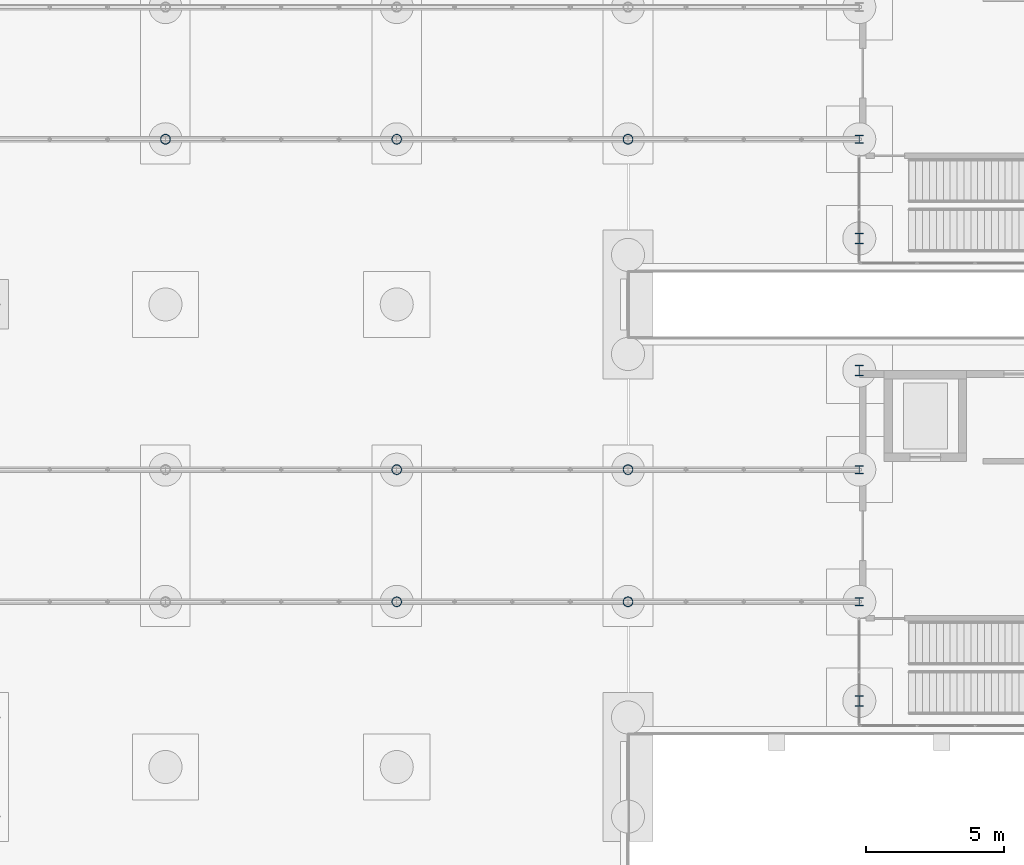
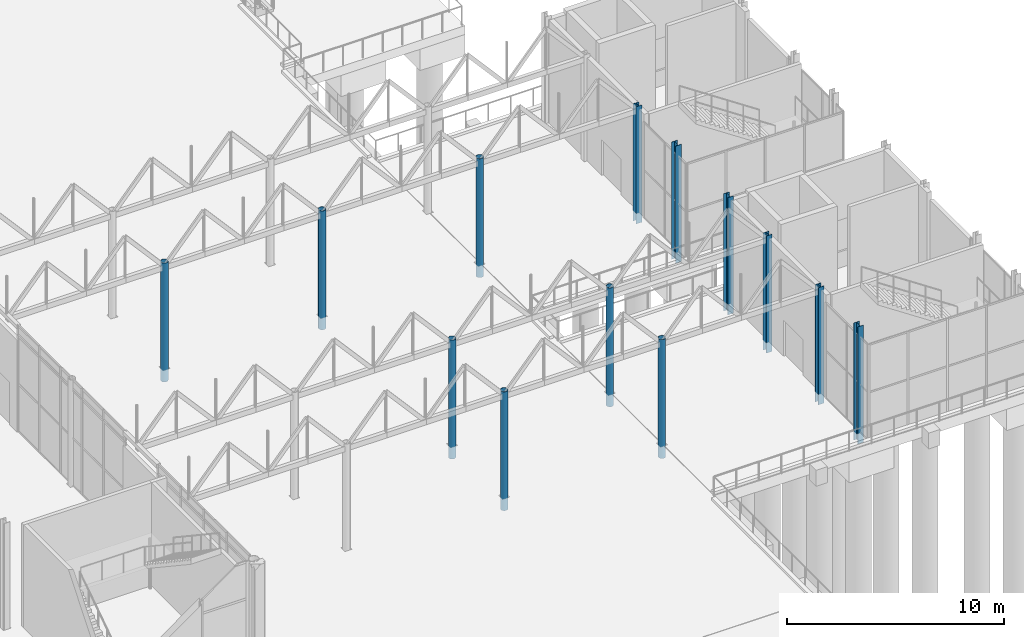
# One storey, part 19 of 212: 13 columns.
"""IFC4 building model written with IfcOpenShell, lengths in metres."""

from ifc_helpers import new_model, si_unit, direction, frame, origin, origin_2d, place, context, subcontext, project, spatial, hollow_circle, i_section, extrude, material, material_profile, profile_set, type_object, element, save


model = new_model("IFC4")

# Units and contexts
model_context = context("Model", 3, precision=1e-05, world=origin(), true_north=direction((0.0, 1.0)))
body_context = subcontext(model_context, "Body", "Model", "MODEL_VIEW")
ifc_project = project(units=[si_unit("LENGTHUNIT", "METRE"), si_unit("AREAUNIT", "SQUARE_METRE"), si_unit("VOLUMEUNIT", "CUBIC_METRE"), si_unit("PLANEANGLEUNIT", "RADIAN"), si_unit("MASSUNIT", "GRAM", prefix="KILO")], contexts=[model_context])

# Site, building, storey
site_placement = place(None, origin())
site = spatial("IfcSite", under=ifc_project, at=site_placement, CompositionType="ELEMENT")
building_placement = place(site_placement, origin())
building = spatial("IfcBuilding", under=site, at=building_placement, Name="Catenary Quay Ferry Terminal", CompositionType="ELEMENT")
storey_placement = place(building_placement, origin())
storey = spatial("IfcBuildingStorey", under=building, at=storey_placement, Name="L00", CompositionType="ELEMENT", Elevation=0.0)

# Columns
ifc_material_1 = material(Name="Steel S355", Category="steel")
ifc_material_profile_1 = material_profile(ifc_material_1, hollow_circle(Radius=0.177734375, WallThickness=0.012451171875, at=origin_2d()), Name="CHS 355.6x12.5")
ifc_profile_set_1 = profile_set([ifc_material_profile_1], Name="Steel S355")
column_type_1 = type_object("IfcColumnType", Name="C5 CHS 355.6x12.5", PredefinedType="COLUMN", material=ifc_profile_set_1)
for number, where, z_axis, x_axis, name in (
    (1, (109.199951171875, 73.199951171875, -0.699951171875), (0.0, 0.0, 1.0), (1.0, 0.0, 0.0), "Column C-BB1SN L00"),
    (2, (117.60009765625, 73.199951171875, -0.699951171875), (0.0, 0.0, 1.0), (1.0, 0.0, 0.0), "Column C-BB1SO L00"),
    (3, (109.199951171875, 78.0, -0.699951171875), (0.0, 0.0, 1.0), (1.0, 0.0, 0.0), "Column C-BB1NN L00"),
    (4, (117.60009765625, 78.0, -0.699951171875), (0.0, 0.0, 1.0), (1.0, 0.0, 0.0), "Column C-BB1NO L00"),
    (5, (100.800048828125, 90.0, -0.699951171875), (0.0, 0.0, 1.0), (1.0, 0.0, 0.0), "Column C-BB2SM L00"),
    (6, (109.199951171875, 90.0, -0.699951171875), (0.0, 0.0, 1.0), (1.0, 0.0, 0.0), "Column C-BB2SN L00"),
    (7, (117.60009765625, 90.0, -0.699951171875), (0.0, 0.0, 1.0), (1.0, 0.0, 0.0), "Column C-BB2SO L00"),
):
    element("IfcColumn", number, at=place(storey_placement, frame(where, z_axis=z_axis, x_axis=x_axis)), inside=storey, type_object=column_type_1, Name=name, PredefinedType="COLUMN", context=body_context, shape_type="SweptSolid", body=[
        extrude(hollow_circle(Radius=0.177734375, WallThickness=0.012451171875, at=origin_2d()), origin(), (0.0, 0.0, 1.0), 6.699951171875),
    ])
ifc_material_2 = material(Name="Steel S355", Category="steel")
ifc_material_profile_2 = material_profile(ifc_material_2, i_section(OverallWidth=0.300048828125, OverallDepth=0.389892578125, WebThickness=0.010986328125, FlangeThickness=0.01904296875, at=origin_2d()), Name="HEA 400")
ifc_profile_set_2 = profile_set([ifc_material_profile_2], Name="Steel S355")
column_type_2 = type_object("IfcColumnType", Name="C7 HEA 400", PredefinedType="COLUMN", material=ifc_profile_set_2)
for number, where, z_axis, x_axis, name in (
    (8, (126.0, 69.60009765625, -0.60009765625), (0.0, 0.0, 1.0), (1.0, 0.0, 0.0), "Column C-BH1P1 L00"),
    (9, (126.0, 81.60009765625, -0.60009765625), (0.0, 0.0, 1.0), (1.0, 0.0, 0.0), "Column C-BH1P4 L00"),
    (10, (126.0, 86.39990234375, -0.60009765625), (0.0, 0.0, 1.0), (1.0, 0.0, 0.0), "Column C-BH2P1 L00"),
):
    element("IfcColumn", number, at=place(storey_placement, frame(where, z_axis=z_axis, x_axis=x_axis)), inside=storey, type_object=column_type_2, Name=name, PredefinedType="COLUMN", context=body_context, shape_type="SweptSolid", body=[
        extrude(i_section(OverallWidth=0.300048828125, OverallDepth=0.389892578125, WebThickness=0.010986328125, FlangeThickness=0.01904296875, at=origin_2d()), origin(), (0.0, 0.0, 1.0), 6.60009765625),
    ])
ifc_material_3 = material(Name="Steel S355", Category="steel")
ifc_material_profile_3 = material_profile(ifc_material_3, i_section(OverallWidth=0.300048828125, OverallDepth=0.300048828125, WebThickness=0.010986328125, FlangeThickness=0.01904296875, at=origin_2d()), Name="HEB 300")
ifc_profile_set_3 = profile_set([ifc_material_profile_3], Name="Steel S355")
column_type_3 = type_object("IfcColumnType", Name="C8 HEB 300", PredefinedType="COLUMN", material=ifc_profile_set_3)
for number, where, z_axis, x_axis, name in (
    (11, (126.0, 73.199951171875, -0.60009765625), (0.0, 0.0, 1.0), (1.0, 0.0, 0.0), "Column C-BH1P2 L00"),
    (12, (126.0, 78.0, -0.60009765625), (0.0, 0.0, 1.0), (1.0, 0.0, 0.0), "Column C-BH1P3 L00"),
    (13, (126.0, 90.0, -0.60009765625), (0.0, 0.0, 1.0), (1.0, 0.0, 0.0), "Column C-BH2P2 L00"),
):
    element("IfcColumn", number, at=place(storey_placement, frame(where, z_axis=z_axis, x_axis=x_axis)), inside=storey, type_object=column_type_3, Name=name, PredefinedType="COLUMN", context=body_context, shape_type="SweptSolid", body=[
        extrude(i_section(OverallWidth=0.300048828125, OverallDepth=0.300048828125, WebThickness=0.010986328125, FlangeThickness=0.01904296875, at=origin_2d()), origin(), (0.0, 0.0, 1.0), 6.60009765625),
    ])

save(model, "model.ifc")
